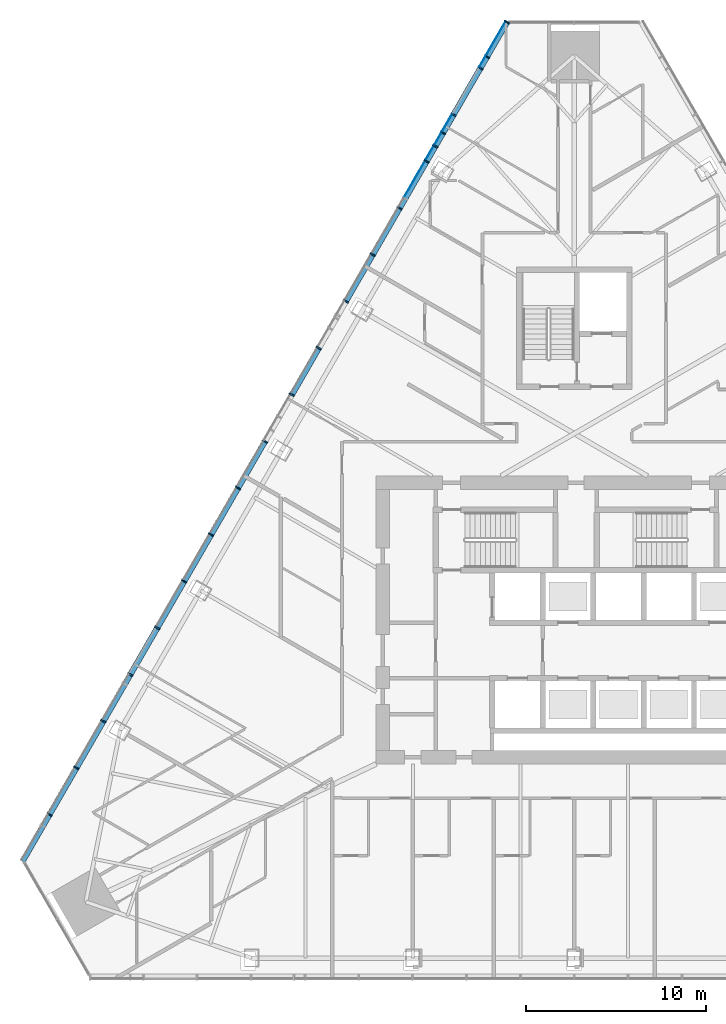
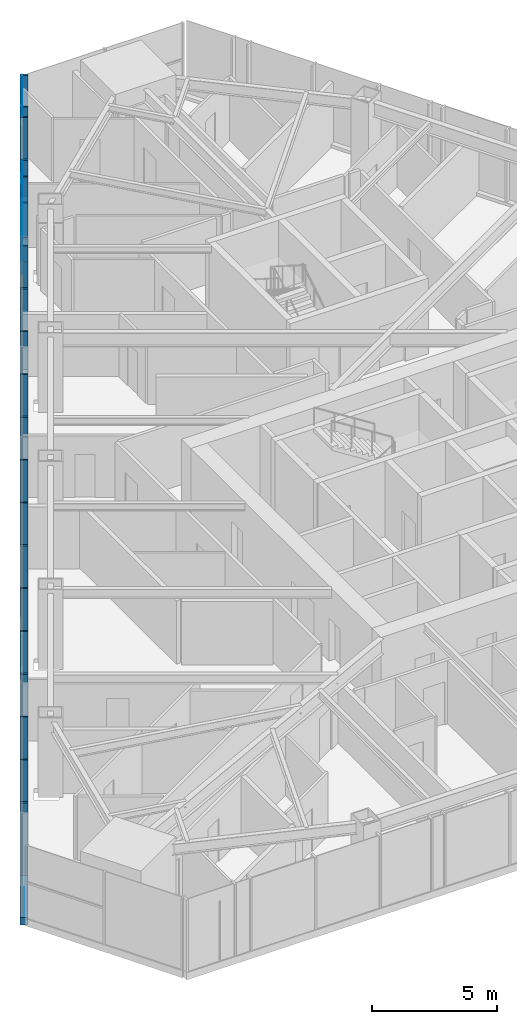
# One storey, part 5 of 21: 23 members, 7 plates, 2 openings, 1 element without a shape of its own.
"""IFC4 building model written with IfcOpenShell, lengths in metres."""

from ifc_helpers import new_model, si_unit, direction, frame, frame_2d, origin, origin_2d, place, context, subcontext, project, spatial, polyline, rectangle, outline, extrude, material, layer, layer_set, material_profile, profile_set, type_object, element, aggregate, save


model = new_model("IFC4")

# Units and contexts
model_context = context("Model", 3, precision=1e-05, world=origin(), true_north=direction((0.0, 1.0)))
body_context = subcontext(model_context, "Body", "Model", "MODEL_VIEW")
ifc_project = project(units=[si_unit("LENGTHUNIT", "METRE"), si_unit("AREAUNIT", "SQUARE_METRE"), si_unit("VOLUMEUNIT", "CUBIC_METRE"), si_unit("PLANEANGLEUNIT", "RADIAN"), si_unit("MASSUNIT", "GRAM", prefix="KILO")], contexts=[model_context])

# Site, building, storey
site_placement = place(None, origin())
site = spatial("IfcSite", under=ifc_project, at=site_placement, CompositionType="ELEMENT")
building_placement = place(site_placement, origin())
building = spatial("IfcBuilding", under=site, at=building_placement, Name="Firuza Gate Tower and Library", CompositionType="ELEMENT")
storey_placement = place(building_placement, frame((0.0, 0.0, 167.5)))
storey = spatial("IfcBuildingStorey", under=building, at=storey_placement, Name="L38", CompositionType="ELEMENT", Elevation=167.5)

# Curtain wall, openings, members, plates
ifc_material_1 = material(Name="Aluminium 6063-T6", Category="aluminium")
ifc_layer_1 = layer(ifc_material_1, 0.14990234375)
ifc_layer_set_1 = layer_set([ifc_layer_1], Name="Unitised curtain wall, hotel")
curtain_wall_type = type_object("IfcCurtainWallType", Name="Unitised curtain wall, hotel", PredefinedType="NOTDEFINED", material=ifc_layer_set_1)
curtain_wall_placement = place(storey_placement, origin())
curtain_wall = element("IfcCurtainWall", 1, at=curtain_wall_placement, inside=storey, type_object=curtain_wall_type, Name="CW2 L38 W face", PredefinedType="NOTDEFINED")
opening_1_placement = place(curtain_wall_placement, frame((69.693359375, 105.65771484375, 0.14990234375), z_axis=(0.0, 0.0, 1.0), x_axis=(-0.5, -0.866025, 0.0)))
element("IfcOpeningElement", 2, at=opening_1_placement, cuts=curtain_wall, Name="Opening WD1-005", PredefinedType="OPENING", context=body_context, shape_type="SweptSolid", body=[
    extrude(rectangle(XDim=2.912109375, YDim=3.550048828125, at=frame_2d((1.4560546875, 1.77490234375))), frame((0.0, 0.0849609375, 0.0), z_axis=(0.0, -1.0, 0.0), x_axis=(1.0, 0.0, 0.0)), (0.0, 0.0, 1.0), 0.169921875),
])
opening_2_placement = place(curtain_wall_placement, frame((51.74072265625, 74.5625, 0.14990234375), z_axis=(0.0, 0.0, 1.0), x_axis=(-0.5, -0.866025, 0.0)))
element("IfcOpeningElement", 3, at=opening_2_placement, cuts=curtain_wall, Name="Opening WD1-006", PredefinedType="OPENING", context=body_context, shape_type="SweptSolid", body=[
    extrude(rectangle(XDim=2.912109375, YDim=3.550048828125, at=frame_2d((1.4560546875, 1.77490234375))), frame((0.0, 0.0849609375, 0.0), z_axis=(0.0, -1.0, 0.0), x_axis=(1.0, 0.0, 0.0)), (0.0, 0.0, 1.0), 0.169921875),
])
ifc_material_2 = material(Name="Aluminium 6063-T6", Category="aluminium")
ifc_material_profile_1 = material_profile(ifc_material_2, rectangle(XDim=0.320068359375, YDim=0.080078125, at=origin_2d()))
ifc_profile_set_1 = profile_set([ifc_material_profile_1], Name="Aluminium 6063-T6")
member_type_1 = type_object("IfcMemberType", Name="Curtain wall mullion 80x320", PredefinedType="MULLION", material=ifc_profile_set_1)
member_1_placement = place(storey_placement, frame((71.26318359375, 108.206298828125, 0.14990234375), z_axis=(0.0, 0.0, 1.0), x_axis=(0.866025403784, -0.5, 0.0)))
member_1 = element("IfcMember", 4, at=member_1_placement, type_object=member_type_1, Name="Mullion", PredefinedType="MULLION", context=body_context, shape_type="SweptSolid", body=[
    extrude(rectangle(XDim=0.320068359375, YDim=0.080078125, at=origin_2d()), origin(), (0.0, 0.0, 1.0), 3.550048828125),
])
member_2_placement = place(storey_placement, frame((69.787109375, 105.649658203125, 0.14990234375), z_axis=(0.0, 0.0, 1.0), x_axis=(0.866025403784, -0.5, 0.0)))
member_2 = element("IfcMember", 5, at=member_2_placement, type_object=member_type_1, Name="Mullion", PredefinedType="MULLION", context=body_context, shape_type="SweptSolid", body=[
    extrude(rectangle(XDim=0.320068359375, YDim=0.080078125, at=origin_2d()), origin(), (0.0, 0.0, 1.0), 3.550048828125),
])
member_3_placement = place(storey_placement, frame((68.291015625, 103.05859375, 0.14990234375), z_axis=(0.0, 0.0, 1.0), x_axis=(0.866025403784, -0.5, 0.0)))
member_3 = element("IfcMember", 6, at=member_3_placement, type_object=member_type_1, Name="Mullion", PredefinedType="MULLION", context=body_context, shape_type="SweptSolid", body=[
    extrude(rectangle(XDim=0.320068359375, YDim=0.080078125, at=origin_2d()), origin(), (0.0, 0.0, 1.0), 3.550048828125),
])
member_4_placement = place(storey_placement, frame((66.794921875, 100.46728515625, 0.14990234375), z_axis=(0.0, 0.0, 1.0), x_axis=(0.866025403784, -0.5, 0.0)))
member_4 = element("IfcMember", 7, at=member_4_placement, type_object=member_type_1, Name="Mullion", PredefinedType="MULLION", context=body_context, shape_type="SweptSolid", body=[
    extrude(rectangle(XDim=0.320068359375, YDim=0.080078125, at=origin_2d()), origin(), (0.0, 0.0, 1.0), 3.550048828125),
])
member_5_placement = place(storey_placement, frame((65.298828125, 97.8759765625, 0.14990234375), z_axis=(0.0, 0.0, 1.0), x_axis=(0.866025403784, -0.5, 0.0)))
member_5 = element("IfcMember", 8, at=member_5_placement, type_object=member_type_1, Name="Mullion", PredefinedType="MULLION", context=body_context, shape_type="SweptSolid", body=[
    extrude(rectangle(XDim=0.320068359375, YDim=0.080078125, at=origin_2d()), origin(), (0.0, 0.0, 1.0), 3.550048828125),
])
member_6_placement = place(storey_placement, frame((63.802734375, 95.28466796875, 0.14990234375), z_axis=(0.0, 0.0, 1.0), x_axis=(0.866025403784, -0.5, 0.0)))
member_6 = element("IfcMember", 9, at=member_6_placement, type_object=member_type_1, Name="Mullion", PredefinedType="MULLION", context=body_context, shape_type="SweptSolid", body=[
    extrude(rectangle(XDim=0.320068359375, YDim=0.080078125, at=origin_2d()), origin(), (0.0, 0.0, 1.0), 3.550048828125),
])
member_7_placement = place(storey_placement, frame((62.306640625, 92.693359375, 0.14990234375), z_axis=(0.0, 0.0, 1.0), x_axis=(0.866025403784, -0.5, 0.0)))
member_7 = element("IfcMember", 10, at=member_7_placement, type_object=member_type_1, Name="Mullion", PredefinedType="MULLION", context=body_context, shape_type="SweptSolid", body=[
    extrude(rectangle(XDim=0.320068359375, YDim=0.080078125, at=origin_2d()), origin(), (0.0, 0.0, 1.0), 3.550048828125),
])
member_8_placement = place(storey_placement, frame((60.810546875, 90.102294921875, 0.14990234375), z_axis=(0.0, 0.0, 1.0), x_axis=(0.866025403784, -0.5, 0.0)))
member_8 = element("IfcMember", 11, at=member_8_placement, type_object=member_type_1, Name="Mullion", PredefinedType="MULLION", context=body_context, shape_type="SweptSolid", body=[
    extrude(rectangle(XDim=0.320068359375, YDim=0.080078125, at=origin_2d()), origin(), (0.0, 0.0, 1.0), 3.550048828125),
])
member_9_placement = place(storey_placement, frame((59.314697265625, 87.510986328125, 0.14990234375), z_axis=(0.0, 0.0, 1.0), x_axis=(0.866025403784, -0.5, 0.0)))
member_9 = element("IfcMember", 12, at=member_9_placement, type_object=member_type_1, Name="Mullion", PredefinedType="MULLION", context=body_context, shape_type="SweptSolid", body=[
    extrude(rectangle(XDim=0.320068359375, YDim=0.080078125, at=origin_2d()), origin(), (0.0, 0.0, 1.0), 3.550048828125),
])
member_10_placement = place(storey_placement, frame((57.818603515625, 84.919677734375, 0.14990234375), z_axis=(0.0, 0.0, 1.0), x_axis=(0.866025403784, -0.5, 0.0)))
member_10 = element("IfcMember", 13, at=member_10_placement, type_object=member_type_1, Name="Mullion", PredefinedType="MULLION", context=body_context, shape_type="SweptSolid", body=[
    extrude(rectangle(XDim=0.320068359375, YDim=0.080078125, at=origin_2d()), origin(), (0.0, 0.0, 1.0), 3.550048828125),
])
member_11_placement = place(storey_placement, frame((56.322509765625, 82.328369140625, 0.14990234375), z_axis=(0.0, 0.0, 1.0), x_axis=(0.866025403784, -0.5, 0.0)))
member_11 = element("IfcMember", 14, at=member_11_placement, type_object=member_type_1, Name="Mullion", PredefinedType="MULLION", context=body_context, shape_type="SweptSolid", body=[
    extrude(rectangle(XDim=0.320068359375, YDim=0.080078125, at=origin_2d()), origin(), (0.0, 0.0, 1.0), 3.550048828125),
])
member_12_placement = place(storey_placement, frame((54.826416015625, 79.7373046875, 0.14990234375), z_axis=(0.0, 0.0, 1.0), x_axis=(0.866025403784, -0.5, 0.0)))
member_12 = element("IfcMember", 15, at=member_12_placement, type_object=member_type_1, Name="Mullion", PredefinedType="MULLION", context=body_context, shape_type="SweptSolid", body=[
    extrude(rectangle(XDim=0.320068359375, YDim=0.080078125, at=origin_2d()), origin(), (0.0, 0.0, 1.0), 3.550048828125),
])
member_13_placement = place(storey_placement, frame((53.330322265625, 77.14599609375, 0.14990234375), z_axis=(0.0, 0.0, 1.0), x_axis=(0.866025403784, -0.5, 0.0)))
member_13 = element("IfcMember", 16, at=member_13_placement, type_object=member_type_1, Name="Mullion", PredefinedType="MULLION", context=body_context, shape_type="SweptSolid", body=[
    extrude(rectangle(XDim=0.320068359375, YDim=0.080078125, at=origin_2d()), origin(), (0.0, 0.0, 1.0), 3.550048828125),
])
member_14_placement = place(storey_placement, frame((51.834228515625, 74.5546875, 0.14990234375), z_axis=(0.0, 0.0, 1.0), x_axis=(0.866025403784, -0.5, 0.0)))
member_14 = element("IfcMember", 17, at=member_14_placement, type_object=member_type_1, Name="Mullion", PredefinedType="MULLION", context=body_context, shape_type="SweptSolid", body=[
    extrude(rectangle(XDim=0.320068359375, YDim=0.080078125, at=origin_2d()), origin(), (0.0, 0.0, 1.0), 3.550048828125),
])
member_15_placement = place(storey_placement, frame((50.338134765625, 71.96337890625, 0.14990234375), z_axis=(0.0, 0.0, 1.0), x_axis=(0.866025403784, -0.5, 0.0)))
member_15 = element("IfcMember", 18, at=member_15_placement, type_object=member_type_1, Name="Mullion", PredefinedType="MULLION", context=body_context, shape_type="SweptSolid", body=[
    extrude(rectangle(XDim=0.320068359375, YDim=0.080078125, at=origin_2d()), origin(), (0.0, 0.0, 1.0), 3.550048828125),
])
member_16_placement = place(storey_placement, frame((48.84228515625, 69.372314453125, 0.14990234375), z_axis=(0.0, 0.0, 1.0), x_axis=(0.866025403784, -0.5, 0.0)))
member_16 = element("IfcMember", 19, at=member_16_placement, type_object=member_type_1, Name="Mullion", PredefinedType="MULLION", context=body_context, shape_type="SweptSolid", body=[
    extrude(rectangle(XDim=0.320068359375, YDim=0.080078125, at=origin_2d()), origin(), (0.0, 0.0, 1.0), 3.550048828125),
])
member_17_placement = place(storey_placement, frame((47.34619140625, 66.781005859375, 0.14990234375), z_axis=(0.0, 0.0, 1.0), x_axis=(0.866025403784, -0.5, 0.0)))
member_17 = element("IfcMember", 20, at=member_17_placement, type_object=member_type_1, Name="Mullion", PredefinedType="MULLION", context=body_context, shape_type="SweptSolid", body=[
    extrude(rectangle(XDim=0.320068359375, YDim=0.080078125, at=origin_2d()), origin(), (0.0, 0.0, 1.0), 3.550048828125),
])
member_18_placement = place(storey_placement, frame((45.85009765625, 64.189697265625, 0.14990234375), z_axis=(0.0, 0.0, 1.0), x_axis=(0.866025403784, -0.5, 0.0)))
member_18 = element("IfcMember", 21, at=member_18_placement, type_object=member_type_1, Name="Mullion", PredefinedType="MULLION", context=body_context, shape_type="SweptSolid", body=[
    extrude(rectangle(XDim=0.320068359375, YDim=0.080078125, at=origin_2d()), origin(), (0.0, 0.0, 1.0), 3.550048828125),
])
member_19_placement = place(storey_placement, frame((70.149658203125, 106.27783203125, 0.14990234375), z_axis=(0.0, 0.0, 1.0), x_axis=(0.866025403784, -0.5, 0.0)))
member_19 = element("IfcMember", 22, at=member_19_placement, type_object=member_type_1, Name="Mullion", PredefinedType="MULLION", context=body_context, shape_type="SweptSolid", body=[
    extrude(rectangle(XDim=0.320068359375, YDim=0.080078125, at=origin_2d()), origin(), (0.0, 0.0, 1.0), 3.550048828125),
])
member_20_placement = place(storey_placement, frame((67.28125, 101.309326171875, 0.14990234375), z_axis=(0.0, 0.0, 1.0), x_axis=(0.866025403784, -0.5, 0.0)))
member_20 = element("IfcMember", 23, at=member_20_placement, type_object=member_type_1, Name="Mullion", PredefinedType="MULLION", context=body_context, shape_type="SweptSolid", body=[
    extrude(rectangle(XDim=0.320068359375, YDim=0.080078125, at=origin_2d()), origin(), (0.0, 0.0, 1.0), 1.735107421875),
])
member_21_placement = place(storey_placement, frame((67.7080078125, 102.048828125, 1.965087890625), z_axis=(0.0, 0.0, 1.0), x_axis=(0.866025403784, -0.5, 0.0)))
member_21 = element("IfcMember", 24, at=member_21_placement, type_object=member_type_1, Name="Mullion", PredefinedType="MULLION", context=body_context, shape_type="SweptSolid", body=[
    extrude(rectangle(XDim=0.320068359375, YDim=0.080078125, at=origin_2d()), origin(), (0.0, 0.0, 1.0), 1.73486328125),
])
ifc_material_3 = material(Name="Aluminium 6063-T6", Category="aluminium")
ifc_material_profile_2 = material_profile(ifc_material_3, rectangle(XDim=0.320068359375, YDim=0.35009765625, at=origin_2d()))
ifc_profile_set_2 = profile_set([ifc_material_profile_2], Name="Aluminium 6063-T6")
member_type_2 = type_object("IfcMemberType", Name="Curtain wall transom 350x320", PredefinedType="USERDEFINED", material=ifc_profile_set_2)
member_22_placement = place(storey_placement, frame((71.283203125, 108.240966796875, -0.02490234375), z_axis=(-0.500001311533, -0.866024646569, 0.0), x_axis=(0.866024646569, -0.500001311533, 0.0)))
member_22 = element("IfcMember", 25, at=member_22_placement, type_object=member_type_2, Name="Transom", ObjectType="TRANSOM", PredefinedType="USERDEFINED", context=body_context, shape_type="SweptSolid", body=[
    extrude(rectangle(XDim=0.320068359375, YDim=0.35009765625, at=origin_2d()), origin(), (0.0, 0.0, 1.0), 53.858154296875),
])
ifc_material_4 = material(Name="Aluminium 6063-T6", Category="aluminium")
ifc_material_profile_3 = material_profile(ifc_material_4, rectangle(XDim=0.320068359375, YDim=0.080078125, at=origin_2d()))
ifc_profile_set_3 = profile_set([ifc_material_profile_3], Name="Aluminium 6063-T6")
member_type_3 = type_object("IfcMemberType", Name="Curtain wall transom 80x320", PredefinedType="USERDEFINED", material=ifc_profile_set_3)
member_23_placement = place(storey_placement, frame((68.27099609375, 103.02392578125, 1.925048828125), z_axis=(-0.49999822179, -0.866026430432, 0.0), x_axis=(0.866026430432, -0.49999822179, 0.0)))
member_23 = element("IfcMember", 26, at=member_23_placement, type_object=member_type_3, Name="Transom", ObjectType="TRANSOM", PredefinedType="USERDEFINED", context=body_context, shape_type="SweptSolid", body=[
    extrude(rectangle(XDim=0.320068359375, YDim=0.080078125, at=origin_2d()), origin(), (0.0, 0.0, 1.0), 2.912109375),
])
ifc_material_5 = material(Name="Fritted glass", Category="glass")
ifc_layer_2 = layer(ifc_material_5, 0.030029296875)
ifc_layer_set_2 = layer_set([ifc_layer_2], Name="Fritted glass unit, hotel")
plate_type_1 = type_object("IfcPlateType", Name="Fritted glass unit, hotel", PredefinedType="CURTAIN_PANEL", material=ifc_layer_set_2)
plate_1_placement = place(storey_placement, frame((70.043212890625, 106.293212890625, 0.14990234375), z_axis=(-0.865952459393, 0.500126322114, 0.0), x_axis=(-0.500126322114, -0.865952459393, 0.0)))
plate_1 = element("IfcPlate", 27, at=plate_1_placement, type_object=plate_type_1, Name="Glass unit", PredefinedType="CURTAIN_PANEL", context=body_context, shape_type="SweptSolid", body=[
    extrude(outline(polyline([(0.0, 0.0), (0.6453447698694345, 0.0), (0.6453447698694345, 3.550048828125001), (0.0, 3.550048828125001), (0.0, 0.0)])), origin(), (0.0, 0.0, -1.0), 0.030029296875),
])
plate_2_placement = place(storey_placement, frame((67.174560546875, 101.32470703125, 0.14990234375), z_axis=(-0.86601248742, 0.500022371132, 0.0), x_axis=(-0.500022371132, -0.86601248742, 0.0)))
plate_2 = element("IfcPlate", 28, at=plate_2_placement, type_object=plate_type_1, Name="Glass unit", PredefinedType="CURTAIN_PANEL", context=body_context, shape_type="SweptSolid", body=[
    extrude(outline(polyline([(0.0, 0.0), (0.8925381908206307, 0.0), (0.8925381908206307, 1.735107421875), (0.0, 1.735107421875), (0.0, 0.0)])), origin(), (0.0, 0.0, -1.0), 0.030029296875),
])
plate_3_placement = place(storey_placement, frame((68.184326171875, 103.07373046875, 1.965087890625), z_axis=(-0.865964627177, 0.5001052534, 0.0), x_axis=(-0.5001052534, -0.865964627177, 0.0)))
plate_3 = element("IfcPlate", 29, at=plate_3_placement, type_object=plate_type_1, Name="Glass unit", PredefinedType="CURTAIN_PANEL", context=body_context, shape_type="SweptSolid", body=[
    extrude(outline(polyline([(0.0, 0.0), (1.0857089508838018, 0.0), (1.0857089508838018, 1.73486328125), (0.0, 1.73486328125), (0.0, 0.0)])), origin(), (0.0, 0.0, -1.0), 0.030029296875),
])
ifc_material_6 = material(Name="Glazed ceramic tile")
ifc_layer_3 = layer(ifc_material_6, 0.030029296875)
ifc_layer_set_3 = layer_set([ifc_layer_3], Name="Opaque ceramic panel, hotel")
plate_type_2 = type_object("IfcPlateType", Name="Opaque ceramic panel, hotel", PredefinedType="CURTAIN_PANEL", material=ifc_layer_set_3)
plate_4_placement = place(storey_placement, frame((71.176513671875, 108.25634765625, 0.14990234375), z_axis=(-0.866001523642, 0.500041359339, 0.0), x_axis=(-0.500041359339, -0.866001523642, 0.0)))
plate_4 = element("IfcPlate", 30, at=plate_4_placement, type_object=plate_type_2, Name="Opaque ceramic panel", PredefinedType="CURTAIN_PANEL", context=body_context, shape_type="SweptSolid", body=[
    extrude(outline(polyline([(0.0, 0.0), (2.186830826994873, 0.0), (2.186830826994873, 3.550048828125), (0.0, 3.550048828125), (0.0, 0.0)])), origin(), (0.0, 0.0, -1.0), 0.030029296875),
])
plate_5_placement = place(storey_placement, frame((68.184326171875, 103.07373046875, 0.14990234375), z_axis=(-0.866034661658, 0.49998396455, 0.0), x_axis=(-0.49998396455, -0.866034661658, 0.0)))
plate_5 = element("IfcPlate", 31, at=plate_5_placement, type_object=plate_type_2, Name="Opaque ceramic panel", PredefinedType="CURTAIN_PANEL", context=body_context, shape_type="SweptSolid", body=[
    extrude(outline(polyline([(0.0, 0.0), (1.9395153270016499, 0.0), (1.9395153270016499, 1.735107421875), (0.0, 1.735107421875), (0.0, 0.0)])), origin(), (0.0, 0.0, -1.0), 0.030029296875),
])
plate_6_placement = place(storey_placement, frame((67.601318359375, 102.064208984375, 1.965087890625), z_axis=(-0.866066862697, 0.499928184181, 0.0), x_axis=(-0.499928184181, -0.866066862697, 0.0)))
plate_6 = element("IfcPlate", 32, at=plate_6_placement, type_object=plate_type_2, Name="Opaque ceramic panel", PredefinedType="CURTAIN_PANEL", context=body_context, shape_type="SweptSolid", body=[
    extrude(outline(polyline([(0.0, 0.0), (1.7463445803315356, 0.0), (1.7463445803315356, 1.73486328125), (0.0, 1.73486328125), (0.0, 0.0)])), origin(), (0.0, 0.0, -1.0), 0.030029296875),
])
plate_7_placement = place(storey_placement, frame((66.688232421875, 100.482666015625, 0.14990234375), z_axis=(-0.866069454927, 0.499923693419, 0.0), x_axis=(-0.499923693419, -0.866069454927, 0.0)))
plate_7 = element("IfcPlate", 33, at=plate_7_placement, type_object=plate_type_2, Name="Opaque ceramic panel", PredefinedType="CURTAIN_PANEL", context=body_context, shape_type="SweptSolid", body=[
    extrude(outline(polyline([(0.0, 0.0), (2.31041119290785, 0.0), (2.31041119290785, 3.550048828125), (0.0, 3.550048828125), (0.0, 0.0)])), origin(), (0.0, 0.0, -1.0), 0.030029296875),
])
aggregate(curtain_wall, [member_1, member_2, member_3, member_4, member_5, member_6, member_7, member_8, member_9, member_10, member_11, member_12, member_13, member_14, member_15, member_16, member_17, member_18, member_22, plate_4, plate_1, member_19, plate_5, plate_2, plate_3, plate_6, member_20, member_21, member_23, plate_7])

save(model, "model.ifc")
